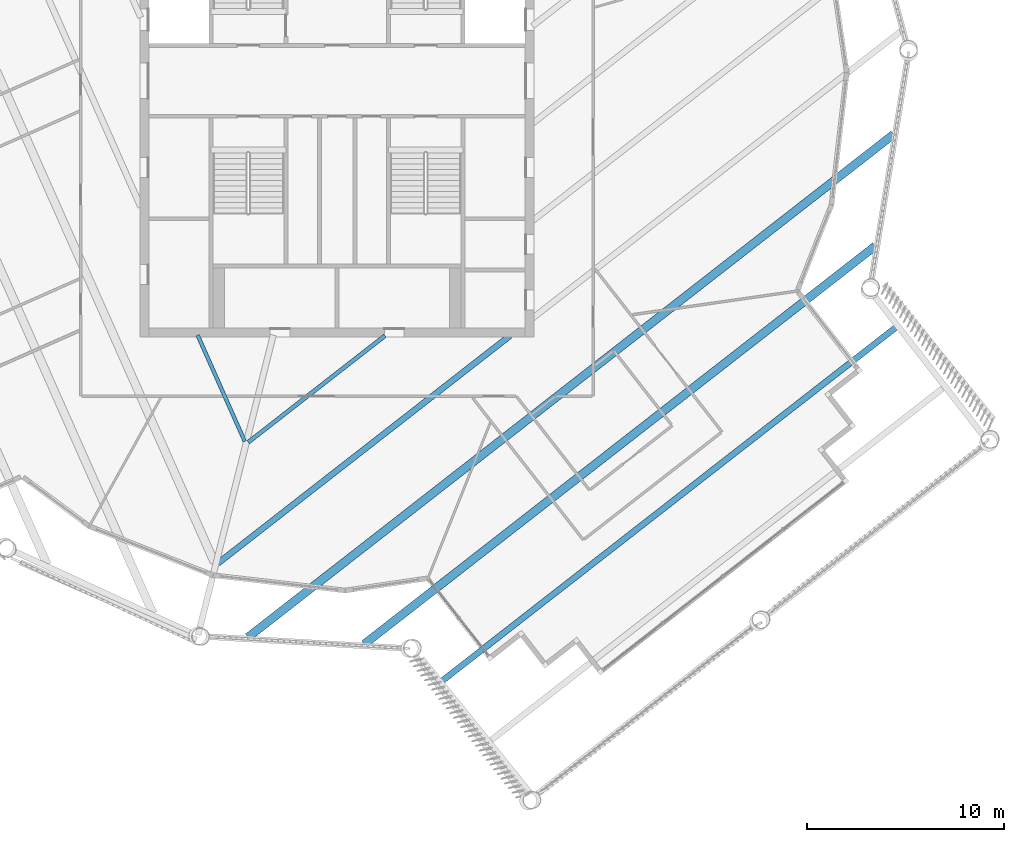
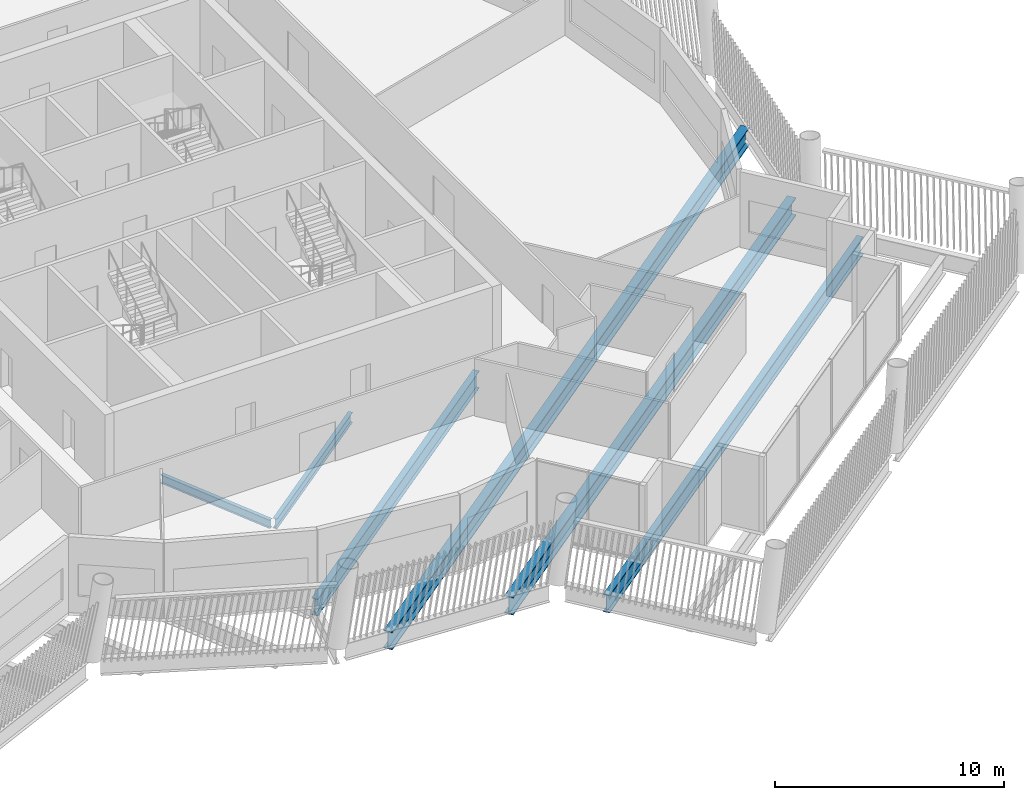
# One storey, part 11 of 28: 6 beams.
"""IFC4 building model written with IfcOpenShell, lengths in metres."""

from ifc_helpers import new_model, si_unit, direction, frame, origin, origin_2d, place, context, subcontext, project, spatial, i_section, extrude, material, material_profile, profile_set, type_object, element, save


model = new_model("IFC4")

# Units and contexts
model_context = context("Model", 3, precision=1e-05, world=origin(), true_north=direction((0.0, 1.0)))
body_context = subcontext(model_context, "Body", "Model", "MODEL_VIEW")
ifc_project = project(units=[si_unit("LENGTHUNIT", "METRE"), si_unit("AREAUNIT", "SQUARE_METRE"), si_unit("VOLUMEUNIT", "CUBIC_METRE"), si_unit("PLANEANGLEUNIT", "RADIAN"), si_unit("MASSUNIT", "GRAM", prefix="KILO")], contexts=[model_context])

# Site, building, storey
site_placement = place(None, origin())
site = spatial("IfcSite", under=ifc_project, at=site_placement, CompositionType="ELEMENT")
building_placement = place(site_placement, origin())
building = spatial("IfcBuilding", under=site, at=building_placement, Name="Tarsis Ring Headquarters", CompositionType="ELEMENT")
storey_placement = place(building_placement, frame((0.0, 0.0, 381.800048828125)))
storey = spatial("IfcBuildingStorey", under=building, at=storey_placement, Name="L90", CompositionType="ELEMENT", Elevation=381.800048828125)

# Beams
ifc_material = material(Name="Structural steel S355", Category="steel")
ifc_material_profile_1 = material_profile(ifc_material, i_section(OverallWidth=0.1904296875, OverallDepth=0.457275390625, WebThickness=0.009033203125, FlangeThickness=0.014404296875, at=origin_2d()), Name="W18x50")
ifc_profile_set_1 = profile_set([ifc_material_profile_1], Name="Structural steel S355")
beam_type_1 = type_object("IfcBeamType", Name="FB Floor beam W18x50", PredefinedType="JOIST", material=ifc_profile_set_1)
beam_1_placement = place(storey_placement, frame((-7.07373046875, -12.90869140625, -0.388671875), z_axis=(0.405465531254, -0.914110334131, 0.0), x_axis=(0.914110334131, 0.405465531254, 0.0)))
element("IfcBeam", 1, at=beam_1_placement, inside=storey, type_object=beam_type_1, Name="Floor beam FB2", PredefinedType="JOIST", context=body_context, shape_type="SweptSolid", body=[
    extrude(i_section(OverallWidth=0.1904296875, OverallDepth=0.457275390625, WebThickness=0.009033203125, FlangeThickness=0.014404296875, at=origin_2d()), origin(), (0.0, 0.0, 1.0), 5.891845703125),
])
ifc_material_profile_2 = material_profile(ifc_material, i_section(OverallWidth=0.209228515625, OverallDepth=0.533447265625, WebThickness=0.01025390625, FlangeThickness=0.015625, at=origin_2d()), Name="W21x62")
ifc_profile_set_2 = profile_set([ifc_material_profile_2], Name="Structural steel S355")
beam_type_2 = type_object("IfcBeamType", Name="FB Floor beam W21x62", PredefinedType="JOIST", material=ifc_profile_set_2)
beam_2_placement = place(storey_placement, frame((-4.503662109375, -18.33984375, -0.4267578125), z_axis=(0.788868848577, 0.614561583363, 0.0), x_axis=(-0.614561583363, 0.788868848577, 0.0)))
element("IfcBeam", 2, at=beam_2_placement, inside=storey, type_object=beam_type_2, Name="Floor beam FB3", PredefinedType="JOIST", context=body_context, shape_type="SweptSolid", body=[
    extrude(i_section(OverallWidth=0.209228515625, OverallDepth=0.533447265625, WebThickness=0.01025390625, FlangeThickness=0.015625, at=origin_2d()), origin(), (0.0, 0.0, 1.0), 8.7890625),
])
ifc_material_profile_3 = material_profile(ifc_material, i_section(OverallWidth=0.3046875, OverallDepth=0.904296875, WebThickness=0.01513671875, FlangeThickness=0.02001953125, at=origin_2d()), Name="W36x135")
ifc_profile_set_3 = profile_set([ifc_material_profile_3], Name="Structural steel S355")
beam_type_3 = type_object("IfcBeamType", Name="FB Floor beam W36x135", PredefinedType="JOIST", material=ifc_profile_set_3)
beam_3_placement = place(storey_placement, frame((-6.044677734375, -24.484130859375, -0.612060546875), z_axis=(0.788868446367, 0.61456209965, 0.0), x_axis=(-0.61456209965, 0.788868446367, 0.0)))
element("IfcBeam", 3, at=beam_3_placement, inside=storey, type_object=beam_type_3, Name="Floor beam FB8", PredefinedType="JOIST", context=body_context, shape_type="SweptSolid", body=[
    extrude(i_section(OverallWidth=0.3046875, OverallDepth=0.904296875, WebThickness=0.01513671875, FlangeThickness=0.02001953125, at=origin_2d()), origin(), (0.0, 0.0, 1.0), 18.786865234375),
])
ifc_material_profile_4 = material_profile(ifc_material, i_section(OverallWidth=0.309814453125, OverallDepth=0.949951171875, WebThickness=0.0244140625, FlangeThickness=0.0439453125, at=origin_2d()), Name="W36x256")
ifc_profile_set_4 = profile_set([ifc_material_profile_4], Name="Structural steel S355")
beam_type_4 = type_object("IfcBeamType", Name="FB Floor beam W36x256", PredefinedType="JOIST", material=ifc_profile_set_4)
beam_4_placement = place(storey_placement, frame((5.1435546875, -30.599365234375, -0.635009765625), z_axis=(0.788871062256, 0.61455874181, 0.0), x_axis=(-0.61455874181, 0.788871062256, 0.0)))
element("IfcBeam", 4, at=beam_4_placement, inside=storey, type_object=beam_type_4, Name="Floor beam FB11", PredefinedType="JOIST", context=body_context, shape_type="SweptSolid", body=[
    extrude(i_section(OverallWidth=0.309814453125, OverallDepth=0.949951171875, WebThickness=0.0244140625, FlangeThickness=0.0439453125, at=origin_2d()), origin(), (0.0, 0.0, 1.0), 29.4951171875),
])
ifc_material_profile_5 = material_profile(ifc_material, i_section(OverallWidth=0.42431640625, OverallDepth=0.947509765625, WebThickness=0.02392578125, FlangeThickness=0.042724609375, at=origin_2d()), Name="W36x302")
ifc_profile_set_5 = profile_set([ifc_material_profile_5], Name="Structural steel S355")
beam_type_5 = type_object("IfcBeamType", Name="FB Floor beam W36x302", PredefinedType="JOIST", material=ifc_profile_set_5)
beam_5_placement = place(storey_placement, frame((-4.520263671875, -28.240234375, -0.6337890625), z_axis=(0.788871796139, 0.614557799769, 0.0), x_axis=(-0.614557799769, 0.788871796139, 0.0)))
element("IfcBeam", 5, at=beam_5_placement, inside=storey, type_object=beam_type_5, Name="Floor beam FB12", PredefinedType="JOIST", context=body_context, shape_type="SweptSolid", body=[
    extrude(i_section(OverallWidth=0.42431640625, OverallDepth=0.947509765625, WebThickness=0.02392578125, FlangeThickness=0.042724609375, at=origin_2d()), origin(), (0.0, 0.0, 1.0), 41.531494140625),
])
beam_6_placement = place(storey_placement, frame((1.376708984375, -28.590087890625, -0.6337890625), z_axis=(0.788871436989, 0.614558260789, 0.0), x_axis=(-0.614558260789, 0.788871436989, 0.0)))
element("IfcBeam", 6, at=beam_6_placement, inside=storey, type_object=beam_type_5, Name="Floor beam FB12", PredefinedType="JOIST", context=body_context, shape_type="SweptSolid", body=[
    extrude(i_section(OverallWidth=0.42431640625, OverallDepth=0.947509765625, WebThickness=0.02392578125, FlangeThickness=0.042724609375, at=origin_2d()), origin(), (0.0, 0.0, 1.0), 32.883056640625),
])

save(model, "model.ifc")
